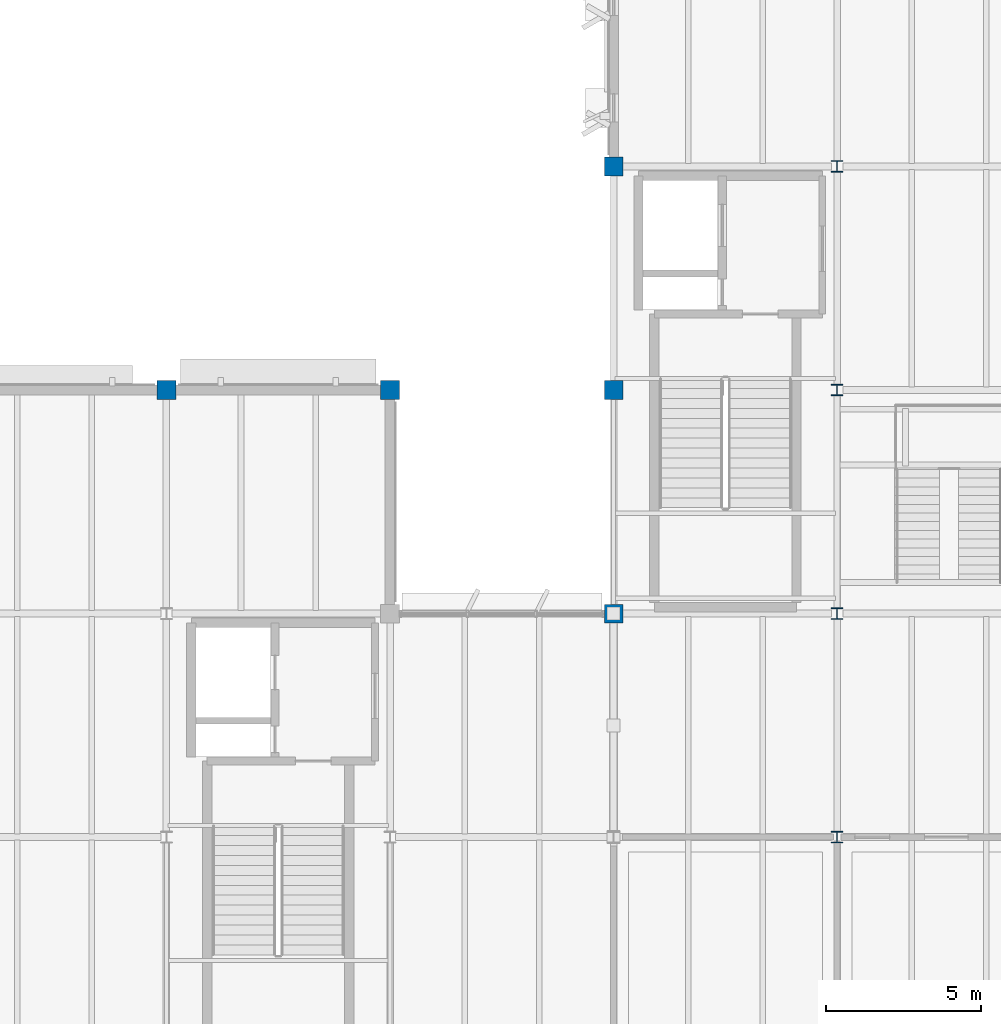
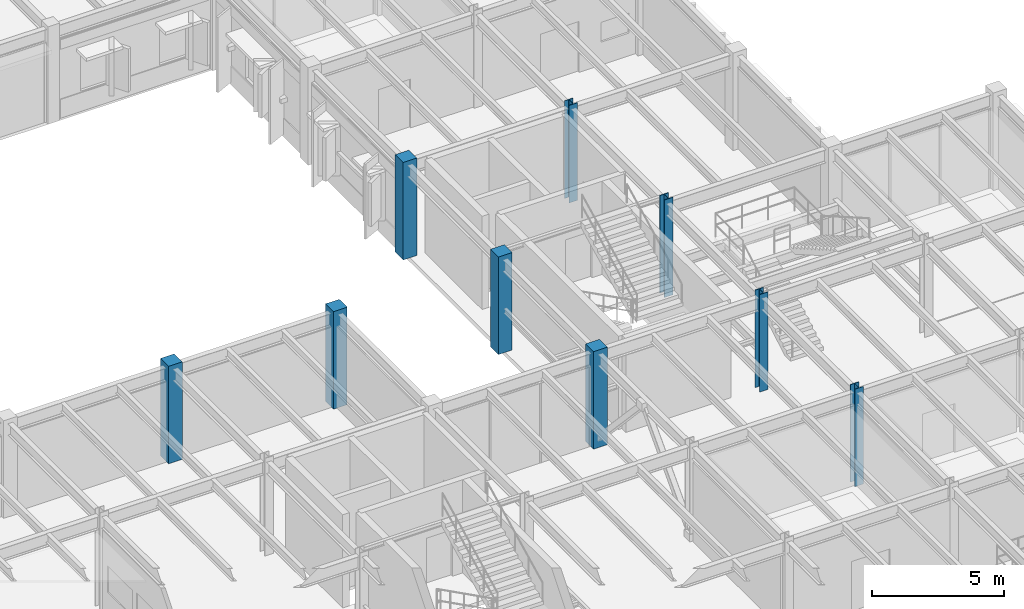
# One storey, part 8 of 92: 9 columns.
"""IFC4 building model written with IfcOpenShell, lengths in metres."""

import ifcopenshell
import ifcopenshell.guid

model = None  # the IFC model being written
_history = None  # IfcOwnerHistory: only IFC2X3 demands one
_inside = {}  # id of a spatial element -> (the spatial element, [elements in it])
_under = {}  # id of a project, library or spatial element -> (it, [spatial elements below it])
_declared = {}  # id of a project -> (the project, [libraries it declares])
_typed = {}  # id of a type object -> (the type object, [elements of that type])
_made_of = {}  # id of a material, layer set ... -> (it, [elements and type objects made of it])


def new_model(schema):
    """Start an empty IFC model of exactly this schema.

    Asked for "IFC4X3", IfcOpenShell would pick the latest addendum, in which some entities
    have other attributes; the version numbers below select the first issue.
    IFC2X3 requires an IfcOwnerHistory on every rooted entity: one is made here for all.
    """
    global model, _history
    if schema == "IFC4X3":
        model = ifcopenshell.file(schema_version=(4, 3, 0, 0))
    else:
        model = ifcopenshell.file(schema=schema)
    _inside.clear()
    _under.clear()
    _declared.clear()
    _typed.clear()
    _made_of.clear()
    _history = None
    if model.schema == "IFC2X3":
        org = make("IfcOrganization", Name="unknown")
        user = make(
            "IfcPersonAndOrganization",
            ThePerson=make("IfcPerson", FamilyName="unknown"),
            TheOrganization=org,
        )
        app = make(
            "IfcApplication",
            ApplicationDeveloper=org,
            Version="unknown",
            ApplicationFullName="unknown",
            ApplicationIdentifier="unknown",
        )
        _history = make(
            "IfcOwnerHistory",
            OwningUser=user,
            OwningApplication=app,
            ChangeAction="ADDED",
            CreationDate=0,
        )
    return model


def make(cls, **values):
    """One entity of the class cls with the attributes given. An attribute that is None is left unset."""
    return model.create_entity(
        cls, **{name: value for name, value in values.items() if value is not None}
    )


def rooted(cls, **values):
    """An entity with a GlobalId (a new one), such as an element, a storey or a relation."""
    return make(cls, GlobalId=ifcopenshell.guid.new(), OwnerHistory=_history, **values)


def si_unit(unit_type, name, prefix=None):
    """IfcSIUnit, for example si_unit("LENGTHUNIT", "METRE", prefix="MILLI")."""
    return make("IfcSIUnit", UnitType=unit_type, Prefix=prefix, Name=name)


def assignment(units):
    """IfcUnitAssignment: the units of a project."""
    return None if units is None else make("IfcUnitAssignment", Units=units)


def point(xyz):
    """IfcCartesianPoint."""
    return None if xyz is None else make("IfcCartesianPoint", Coordinates=xyz)


def direction(xyz):
    """IfcDirection."""
    return None if xyz is None else make("IfcDirection", DirectionRatios=xyz)


def frame(location, z_axis=None, x_axis=None):
    """IfcAxis2Placement3D, a coordinate frame: its origin and axes. An axis left out is left unset."""
    return make(
        "IfcAxis2Placement3D",
        Location=point(location),
        Axis=direction(z_axis),
        RefDirection=direction(x_axis),
    )


def frame_2d(location, x_axis=None):
    """IfcAxis2Placement2D, a coordinate frame in the plane: its origin and x axis."""
    return make(
        "IfcAxis2Placement2D", Location=point(location), RefDirection=direction(x_axis)
    )


def origin():
    """The frame at (0, 0, 0) with its axes left unset."""
    return frame((0.0, 0.0, 0.0))


def origin_2d():
    """The frame at (0, 0) in the plane with its x axis left unset."""
    return frame_2d((0.0, 0.0))


def place(relative_to, where):
    """IfcLocalPlacement: puts the frame where relative to a parent placement (None: the world)."""
    return make(
        "IfcLocalPlacement", PlacementRelTo=relative_to, RelativePlacement=where
    )


def context(
    kind, dimensions, precision=None, world=None, true_north=None, identifier=None
):
    """IfcGeometricRepresentationContext, for example the 3D "Model" context."""
    return make(
        "IfcGeometricRepresentationContext",
        ContextIdentifier=identifier,
        ContextType=kind,
        CoordinateSpaceDimension=dimensions,
        Precision=precision,
        WorldCoordinateSystem=world,
        TrueNorth=true_north,
    )


def subcontext(parent, identifier, kind, view, scale=None):
    """IfcGeometricRepresentationSubContext, for example "Body" below "Model"."""
    return make(
        "IfcGeometricRepresentationSubContext",
        ContextIdentifier=identifier,
        ContextType=kind,
        ParentContext=parent,
        TargetScale=scale,
        TargetView=view,
    )


def project(units=None, contexts=None):
    """IfcProject with its units and contexts."""
    return rooted(
        "IfcProject",
        Name="project",
        RepresentationContexts=contexts,
        UnitsInContext=assignment(units),
    )


def spatial(cls, under=None, at=None, **own):
    """A site, building, storey or space (cls), placed at a placement, below another one or the project."""
    s = rooted(cls, ObjectPlacement=at, **own)
    if under is not None:
        _under.setdefault(under.id(), (under, []))[1].append(s)
    return s


def profile(cls, at=None, kind="AREA", **sizes):
    """A parametric profile (cls). Its sizes go by their IFC names, for example OverallWidth=200.0."""
    return make(cls, ProfileType=kind, Position=at, **sizes)


def rectangle(**sizes):
    """IfcRectangleProfileDef."""
    return profile("IfcRectangleProfileDef", **sizes)


def i_section(**sizes):
    """IfcIShapeProfileDef."""
    return profile("IfcIShapeProfileDef", **sizes)


def extrude(swept, where, along, depth):
    """IfcExtrudedAreaSolid: the profile swept, set in the frame where, extruded along a direction by depth."""
    return make(
        "IfcExtrudedAreaSolid",
        SweptArea=swept,
        Position=where,
        ExtrudedDirection=direction(along),
        Depth=depth,
    )


def shape(context_of_items, identifier, shape_type, items):
    """IfcShapeRepresentation: the items that make up one representation, for example the "Body"."""
    return make(
        "IfcShapeRepresentation",
        ContextOfItems=context_of_items,
        RepresentationIdentifier=identifier,
        RepresentationType=shape_type,
        Items=items,
    )


def material(Name=None, Category=None):
    """IfcMaterial."""
    return make("IfcMaterial", Name=Name, Category=Category)


def material_profile(
    of_material, cross_section, Name=None, Category=None, Priority=None
):
    """IfcMaterialProfile: a cross section and its material."""
    return make(
        "IfcMaterialProfile",
        Name=Name,
        Material=of_material,
        Profile=cross_section,
        Priority=Priority,
        Category=Category,
    )


def profile_set(profiles, Name=None, composite=None):
    """IfcMaterialProfileSet."""
    return make(
        "IfcMaterialProfileSet",
        Name=Name,
        MaterialProfiles=profiles,
        CompositeProfile=composite,
    )


def made_of(thing, what):
    """Note that an element or type object is made of a material, layer set ...; save() writes the relation."""
    if what is not None:
        _made_of.setdefault(what.id(), (what, []))[1].append(thing)
    return thing


def type_object(cls, material=None, **own):
    """A type object (cls), such as IfcWallType, which elements share."""
    return made_of(rooted(cls, **own), material)


def element(
    cls,
    number,
    at=None,
    inside=None,
    cuts=None,
    type_object=None,
    material=None,
    context=None,
    identifier="Body",
    shape_type=None,
    held_by="IfcProductDefinitionShape",
    body=None,
    shapes=None,
    **own,
):
    """One element of the class cls, such as IfcWall. Its Tag is "e" and its number.

    at: its placement. inside: the storey or other place that contains it. cuts: it is an
    opening in that element (IfcRelVoidsElement). A single representation is given by context,
    identifier, shape_type and body (its items); several are given by shapes. held_by: the class
    of the entity that holds the representations. save() writes the other relations.
    """
    e = rooted(cls, Tag="e%d" % number, ObjectPlacement=at, **own)
    if body is not None:
        shapes = [shape(context, identifier, shape_type, body)]
    if shapes is not None:
        e.Representation = make(held_by, Representations=shapes)
    if inside is not None:
        _inside.setdefault(inside.id(), (inside, []))[1].append(e)
    if cuts is not None:
        rooted(
            "IfcRelVoidsElement", RelatingBuildingElement=cuts, RelatedOpeningElement=e
        )
    if type_object is not None:
        _typed.setdefault(type_object.id(), (type_object, []))[1].append(e)
    return made_of(e, material)


def aggregate(whole, parts):
    """IfcRelAggregates: a whole, such as a stair, and the parts it consists of."""
    return rooted("IfcRelAggregates", RelatingObject=whole, RelatedObjects=parts)


def save(model, path):
    """Write the relations noted so far, then the file.

    IfcRelAggregates (storeys below a building ...), IfcRelContainedInSpatialStructure (elements
    in a storey), IfcRelDefinesByType, IfcRelAssociatesMaterial and IfcRelDeclares: one each for
    every whole, place, type object, material and project.
    """
    for whole, parts in _under.values():
        aggregate(whole, parts)
    for where, things in _inside.values():
        rooted(
            "IfcRelContainedInSpatialStructure",
            RelatedElements=things,
            RelatingStructure=where,
        )
    for kind, things in _typed.values():
        rooted("IfcRelDefinesByType", RelatedObjects=things, RelatingType=kind)
    for what, things in _made_of.values():
        rooted("IfcRelAssociatesMaterial", RelatedObjects=things, RelatingMaterial=what)
    for by, libraries in _declared.values():
        rooted("IfcRelDeclares", RelatingContext=by, RelatedDefinitions=libraries)
    model.write(path)


model = new_model("IFC4")

# Units and contexts
model_context = context("Model", 3, precision=1e-05, world=origin(), true_north=direction((0.0, 1.0)))
body_context = subcontext(model_context, "Body", "Model", "MODEL_VIEW")
ifc_project = project(units=[si_unit("LENGTHUNIT", "METRE"), si_unit("AREAUNIT", "SQUARE_METRE"), si_unit("VOLUMEUNIT", "CUBIC_METRE"), si_unit("PLANEANGLEUNIT", "RADIAN"), si_unit("MASSUNIT", "GRAM", prefix="KILO")], contexts=[model_context])

# Site, building, storey
site_placement = place(None, origin())
site = spatial("IfcSite", under=ifc_project, at=site_placement, CompositionType="ELEMENT")
building_placement = place(site_placement, origin())
building = spatial("IfcBuilding", under=site, at=building_placement, Name="Sillqori Civic Hall", CompositionType="ELEMENT")
storey_placement = place(building_placement, frame((0.0, 0.0, 5.39990234375)))
storey = spatial("IfcBuildingStorey", under=building, at=storey_placement, Name="L02", CompositionType="ELEMENT", Elevation=5.39990234375)

# Columns
ifc_material_1 = material(Name="Concrete C35/45 (H35)", Category="concrete")
ifc_material_profile_1 = material_profile(ifc_material_1, rectangle(XDim=0.60009765625, YDim=0.60009765625, at=origin_2d()), Name="RC 600x600")
ifc_profile_set_1 = profile_set([ifc_material_profile_1], Name="Concrete C35/45 (H35)")
column_type_1 = type_object("IfcColumnType", Name="COL-RC600", PredefinedType="COLUMN", material=ifc_profile_set_1)
for number, where, z_axis, x_axis, name in (
    (1, (108.0, 57.60009765625, 0.0), (0.0, 0.0, 1.0), (1.0, 0.0, 0.0), "L02 column 15-8"),
    (2, (115.199951171875, 57.60009765625, 0.0), (0.0, 0.0, 1.0), (1.0, 0.0, 0.0), "L02 column 16-8"),
    (3, (122.39990234375, 50.39990234375, 0.0), (0.0, 0.0, 1.0), (1.0, 0.0, 0.0), "L02 column 17-7"),
    (4, (122.39990234375, 57.60009765625, 0.0), (0.0, 0.0, 1.0), (1.0, 0.0, 0.0), "L02 column 17-8"),
    (5, (122.39990234375, 64.800048828125, 0.0), (0.0, 0.0, 1.0), (1.0, 0.0, 0.0), "L02 column 17-9"),
):
    element("IfcColumn", number, at=place(storey_placement, frame(where, z_axis=z_axis, x_axis=x_axis)), inside=storey, type_object=column_type_1, Name=name, PredefinedType="COLUMN", context=body_context, shape_type="SweptSolid", body=[
        extrude(rectangle(XDim=0.60009765625, YDim=0.60009765625, at=origin_2d()), origin(), (0.0, 0.0, 1.0), 4.5),
    ])
ifc_material_2 = material(Name="Steel ASTM A992", Category="steel")
ifc_material_profile_2 = material_profile(ifc_material_2, i_section(OverallWidth=0.373046875, OverallDepth=0.367919921875, WebThickness=0.014892578125, FlangeThickness=0.02392578125, FilletRadius=0.014892578125, at=origin_2d()), Name="W14X120")
ifc_profile_set_2 = profile_set([ifc_material_profile_2], Name="Steel ASTM A992")
column_type_2 = type_object("IfcColumnType", Name="COL-W14X120", PredefinedType="COLUMN", material=ifc_profile_set_2)
for number, where, z_axis, x_axis, name in (
    (6, (129.60009765625, 43.199951171875, 0.0), (0.0, 0.0, 1.0), (1.0, 0.0, 0.0), "L02 column 18-6"),
    (7, (129.60009765625, 50.39990234375, 0.0), (0.0, 0.0, 1.0), (1.0, 0.0, 0.0), "L02 column 18-7"),
    (8, (129.60009765625, 57.60009765625, 0.0), (0.0, 0.0, 1.0), (1.0, 0.0, 0.0), "L02 column 18-8"),
    (9, (129.60009765625, 64.800048828125, 0.0), (0.0, 0.0, 1.0), (1.0, 0.0, 0.0), "L02 column 18-9"),
):
    element("IfcColumn", number, at=place(storey_placement, frame(where, z_axis=z_axis, x_axis=x_axis)), inside=storey, type_object=column_type_2, Name=name, PredefinedType="COLUMN", context=body_context, shape_type="SweptSolid", body=[
        extrude(i_section(OverallWidth=0.373046875, OverallDepth=0.367919921875, WebThickness=0.014892578125, FlangeThickness=0.02392578125, FilletRadius=0.014892578125, at=origin_2d()), origin(), (0.0, 0.0, 1.0), 4.5),
    ])

save(model, "model.ifc")
